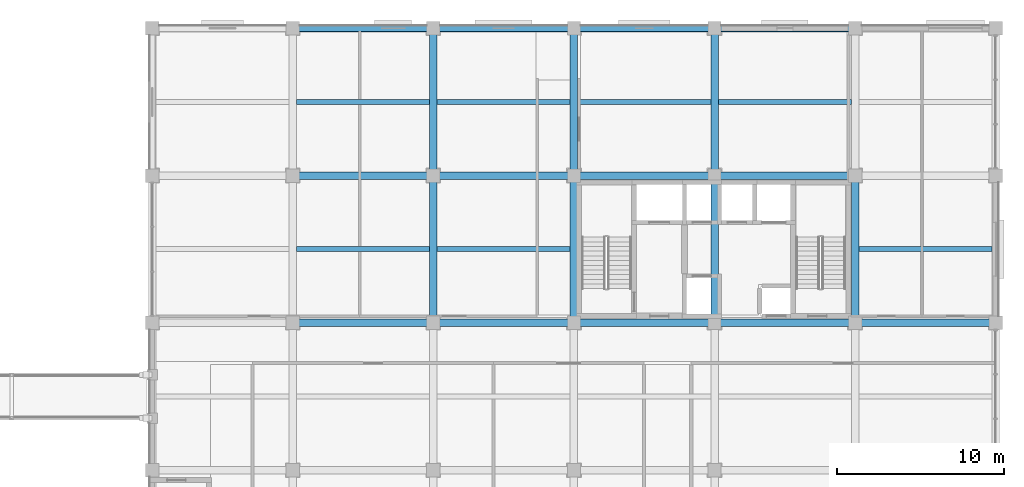
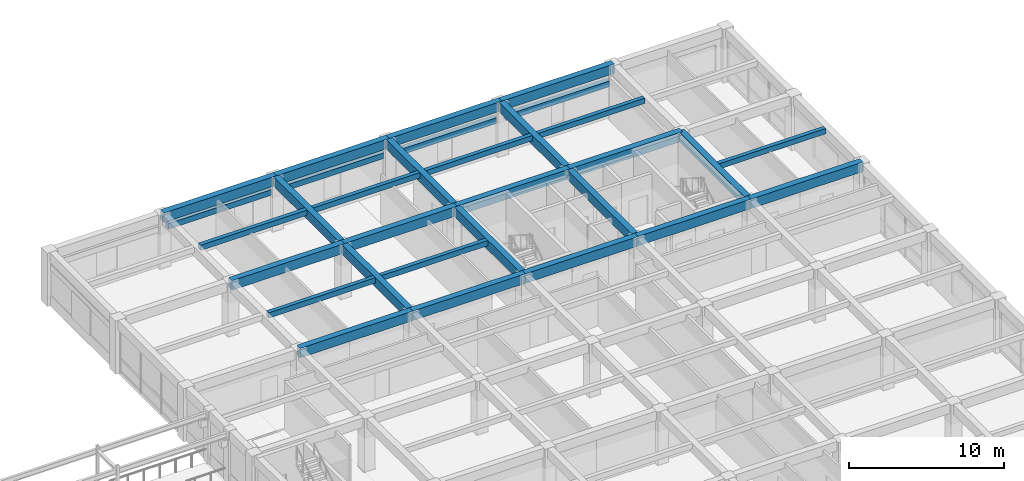
# One storey, part 27 of 57: 31 beams.
"""IFC4 building model written with IfcOpenShell, lengths in metres."""

from ifc_helpers import new_model, si_unit, direction, frame, origin, origin_2d, place, context, subcontext, project, spatial, rectangle, extrude, material, material_profile, profile_set, type_object, element, save


model = new_model("IFC4")

# Units and contexts
model_context = context("Model", 3, precision=1e-05, world=origin(), true_north=direction((0.0, 1.0)))
body_context = subcontext(model_context, "Body", "Model", "MODEL_VIEW")
ifc_project = project(units=[si_unit("LENGTHUNIT", "METRE"), si_unit("AREAUNIT", "SQUARE_METRE"), si_unit("VOLUMEUNIT", "CUBIC_METRE"), si_unit("PLANEANGLEUNIT", "RADIAN"), si_unit("MASSUNIT", "GRAM", prefix="KILO")], contexts=[model_context])

# Site, building, storey
site_placement = place(None, origin())
site = spatial("IfcSite", under=ifc_project, at=site_placement, CompositionType="ELEMENT")
building_placement = place(site_placement, origin())
building = spatial("IfcBuilding", under=site, at=building_placement, Name="Kemercrest Conservatory and Botanical Centre", CompositionType="ELEMENT")
storey_placement = place(building_placement, frame((0.0, 0.0, 4.800048828125)))
storey = spatial("IfcBuildingStorey", under=building, at=storey_placement, Name="L01", CompositionType="ELEMENT", Elevation=4.800048828125)

# Beams
ifc_material_1 = material(Name="Concrete C40/50", Category="concrete")
ifc_material_profile_1 = material_profile(ifc_material_1, rectangle(XDim=0.449951171875, YDim=0.75, at=origin_2d()), Name="RC 450x750")
ifc_profile_set_1 = profile_set([ifc_material_profile_1], Name="Concrete C40/50")
beam_type_1 = type_object("IfcBeamType", Name="BM-RC75", PredefinedType="BEAM", material=ifc_profile_set_1)
beam_1_placement = place(storey_placement, frame((134.0, 104.800048828125, 3.824951171875), z_axis=(1.0, 0.0, 0.0), x_axis=(0.0, 1.0, 0.0)))
element("IfcBeam", 1, at=beam_1_placement, inside=storey, type_object=beam_type_1, Name="V4-L02 beam BM-RC75 M/16-17", PredefinedType="BEAM", context=body_context, shape_type="SweptSolid", body=[
    extrude(rectangle(XDim=0.449951171875, YDim=0.75, at=origin_2d()), origin(), (0.0, 0.0, 1.0), 8.39990234375),
])
beam_2_placement = place(storey_placement, frame((142.39990234375, 104.800048828125, 3.824951171875), z_axis=(1.0, 0.0, 0.0), x_axis=(0.0, 1.0, 0.0)))
element("IfcBeam", 2, at=beam_2_placement, inside=storey, type_object=beam_type_1, Name="V4-L02 beam BM-RC75 M/17-18", PredefinedType="BEAM", context=body_context, shape_type="SweptSolid", body=[
    extrude(rectangle(XDim=0.449951171875, YDim=0.75, at=origin_2d()), origin(), (0.0, 0.0, 1.0), 8.400146484375),
])
beam_3_placement = place(storey_placement, frame((150.800048828125, 104.800048828125, 3.824951171875), z_axis=(1.0, 0.0, 0.0), x_axis=(0.0, 1.0, 0.0)))
element("IfcBeam", 3, at=beam_3_placement, inside=storey, type_object=beam_type_1, Name="V4-L02 beam BM-RC75 M/18-19", PredefinedType="BEAM", context=body_context, shape_type="SweptSolid", body=[
    extrude(rectangle(XDim=0.449951171875, YDim=0.75, at=origin_2d()), origin(), (0.0, 0.0, 1.0), 8.39990234375),
])
beam_4_placement = place(storey_placement, frame((159.199951171875, 104.800048828125, 3.824951171875), z_axis=(1.0, 0.0, 0.0), x_axis=(0.0, 1.0, 0.0)))
element("IfcBeam", 4, at=beam_4_placement, inside=storey, type_object=beam_type_1, Name="V4-L02 beam BM-RC75 M/19-20", PredefinedType="BEAM", context=body_context, shape_type="SweptSolid", body=[
    extrude(rectangle(XDim=0.449951171875, YDim=0.75, at=origin_2d()), origin(), (0.0, 0.0, 1.0), 8.400146484375),
])
for number, where, z_axis, x_axis, name in (
    (5, (167.60009765625, 104.800048828125, 3.824951171875), (1.0, 0.0, 0.0), (0.0, 1.0, 0.0), "V4-L02 beam BM-RC75 M/20-21"),
    (6, (134.0, 113.60009765625, 3.824951171875), (1.0, 0.0, 0.0), (0.0, 1.0, 0.0), "V4-L02 beam BM-RC75 N/16-17"),
):
    element("IfcBeam", number, at=place(storey_placement, frame(where, z_axis=z_axis, x_axis=x_axis)), inside=storey, type_object=beam_type_1, Name=name, PredefinedType="BEAM", context=body_context, shape_type="SweptSolid", body=[
        extrude(rectangle(XDim=0.449951171875, YDim=0.75, at=origin_2d()), origin(), (0.0, 0.0, 1.0), 8.39990234375),
    ])
beam_5_placement = place(storey_placement, frame((142.39990234375, 113.60009765625, 3.824951171875), z_axis=(1.0, 0.0, 0.0), x_axis=(0.0, 1.0, 0.0)))
element("IfcBeam", 7, at=beam_5_placement, inside=storey, type_object=beam_type_1, Name="V4-L02 beam BM-RC75 N/17-18", PredefinedType="BEAM", context=body_context, shape_type="SweptSolid", body=[
    extrude(rectangle(XDim=0.449951171875, YDim=0.75, at=origin_2d()), origin(), (0.0, 0.0, 1.0), 8.400146484375),
])
beam_6_placement = place(storey_placement, frame((150.800048828125, 113.60009765625, 3.824951171875), z_axis=(1.0, 0.0, 0.0), x_axis=(0.0, 1.0, 0.0)))
element("IfcBeam", 8, at=beam_6_placement, inside=storey, type_object=beam_type_1, Name="V4-L02 beam BM-RC75 N/18-19", PredefinedType="BEAM", context=body_context, shape_type="SweptSolid", body=[
    extrude(rectangle(XDim=0.449951171875, YDim=0.75, at=origin_2d()), origin(), (0.0, 0.0, 1.0), 8.39990234375),
])
beam_7_placement = place(storey_placement, frame((159.199951171875, 113.60009765625, 3.824951171875), z_axis=(1.0, 0.0, 0.0), x_axis=(0.0, 1.0, 0.0)))
element("IfcBeam", 9, at=beam_7_placement, inside=storey, type_object=beam_type_1, Name="V4-L02 beam BM-RC75 N/19-20", PredefinedType="BEAM", context=body_context, shape_type="SweptSolid", body=[
    extrude(rectangle(XDim=0.449951171875, YDim=0.75, at=origin_2d()), origin(), (0.0, 0.0, 1.0), 8.400146484375),
])
beam_8_placement = place(storey_placement, frame((142.39990234375, 104.800048828125, 3.824951171875), z_axis=(0.0, 1.0, 0.0), x_axis=(-1.0, 0.0, 0.0)))
element("IfcBeam", 10, at=beam_8_placement, inside=storey, type_object=beam_type_1, Name="V4-L02 beam BM-RC75 17/M-N", PredefinedType="BEAM", context=body_context, shape_type="SweptSolid", body=[
    extrude(rectangle(XDim=0.449951171875, YDim=0.75, at=origin_2d()), origin(), (0.0, 0.0, 1.0), 8.800048828125),
])
beam_9_placement = place(storey_placement, frame((142.39990234375, 113.60009765625, 3.824951171875), z_axis=(0.0, 1.0, 0.0), x_axis=(-1.0, 0.0, 0.0)))
element("IfcBeam", 11, at=beam_9_placement, inside=storey, type_object=beam_type_1, Name="V4-L02 beam BM-RC75 17/N-P", PredefinedType="BEAM", context=body_context, shape_type="SweptSolid", body=[
    extrude(rectangle(XDim=0.449951171875, YDim=0.75, at=origin_2d()), origin(), (0.0, 0.0, 1.0), 8.7998046875),
])
beam_10_placement = place(storey_placement, frame((150.800048828125, 104.800048828125, 3.824951171875), z_axis=(0.0, 1.0, 0.0), x_axis=(-1.0, 0.0, 0.0)))
element("IfcBeam", 12, at=beam_10_placement, inside=storey, type_object=beam_type_1, Name="V4-L02 beam BM-RC75 18/M-N", PredefinedType="BEAM", context=body_context, shape_type="SweptSolid", body=[
    extrude(rectangle(XDim=0.449951171875, YDim=0.75, at=origin_2d()), origin(), (0.0, 0.0, 1.0), 8.800048828125),
])
beam_11_placement = place(storey_placement, frame((150.800048828125, 113.60009765625, 3.824951171875), z_axis=(0.0, 1.0, 0.0), x_axis=(-1.0, 0.0, 0.0)))
element("IfcBeam", 13, at=beam_11_placement, inside=storey, type_object=beam_type_1, Name="V4-L02 beam BM-RC75 18/N-P", PredefinedType="BEAM", context=body_context, shape_type="SweptSolid", body=[
    extrude(rectangle(XDim=0.449951171875, YDim=0.75, at=origin_2d()), origin(), (0.0, 0.0, 1.0), 8.7998046875),
])
beam_12_placement = place(storey_placement, frame((159.199951171875, 104.800048828125, 3.824951171875), z_axis=(0.0, 1.0, 0.0), x_axis=(-1.0, 0.0, 0.0)))
element("IfcBeam", 14, at=beam_12_placement, inside=storey, type_object=beam_type_1, Name="V4-L02 beam BM-RC75 19/M-N", PredefinedType="BEAM", context=body_context, shape_type="SweptSolid", body=[
    extrude(rectangle(XDim=0.449951171875, YDim=0.75, at=origin_2d()), origin(), (0.0, 0.0, 1.0), 8.800048828125),
])
beam_13_placement = place(storey_placement, frame((159.199951171875, 113.60009765625, 3.824951171875), z_axis=(0.0, 1.0, 0.0), x_axis=(-1.0, 0.0, 0.0)))
element("IfcBeam", 15, at=beam_13_placement, inside=storey, type_object=beam_type_1, Name="V4-L02 beam BM-RC75 19/N-P", PredefinedType="BEAM", context=body_context, shape_type="SweptSolid", body=[
    extrude(rectangle(XDim=0.449951171875, YDim=0.75, at=origin_2d()), origin(), (0.0, 0.0, 1.0), 8.7998046875),
])
beam_14_placement = place(storey_placement, frame((167.60009765625, 104.800048828125, 3.824951171875), z_axis=(0.0, 1.0, 0.0), x_axis=(-1.0, 0.0, 0.0)))
element("IfcBeam", 16, at=beam_14_placement, inside=storey, type_object=beam_type_1, Name="V4-L02 beam BM-RC75 20/M-N", PredefinedType="BEAM", context=body_context, shape_type="SweptSolid", body=[
    extrude(rectangle(XDim=0.449951171875, YDim=0.75, at=origin_2d()), origin(), (0.0, 0.0, 1.0), 8.800048828125),
])
ifc_material_profile_2 = material_profile(ifc_material_1, rectangle(XDim=0.300048828125, YDim=0.419921875, at=origin_2d()), Name="RC 300x420")
ifc_profile_set_2 = profile_set([ifc_material_profile_2], Name="Concrete C40/50")
beam_type_2 = type_object("IfcBeamType", Name="JS-RC42", PredefinedType="JOIST", material=ifc_profile_set_2)
for number, where, z_axis, x_axis, name in (
    (17, (134.22509765625, 109.199951171875, 3.989990234375), (1.0, 0.0, 0.0), (0.0, 1.0, 0.0), "V4-L02 secondary joist JS-RC42"),
    (18, (142.625, 109.199951171875, 3.989990234375), (1.0, 0.0, 0.0), (0.0, 1.0, 0.0), "V4-L02 secondary joist JS-RC42"),
    (19, (167.824951171875, 109.199951171875, 3.989990234375), (1.0, 0.0, 0.0), (0.0, 1.0, 0.0), "V4-L02 secondary joist JS-RC42"),
    (20, (134.22509765625, 118.0, 3.989990234375), (1.0, 0.0, 0.0), (0.0, 1.0, 0.0), "V4-L02 secondary joist JS-RC42"),
    (21, (142.625, 118.0, 3.989990234375), (1.0, 0.0, 0.0), (0.0, 1.0, 0.0), "V4-L02 secondary joist JS-RC42"),
):
    element("IfcBeam", number, at=place(storey_placement, frame(where, z_axis=z_axis, x_axis=x_axis)), inside=storey, type_object=beam_type_2, Name=name, PredefinedType="JOIST", context=body_context, shape_type="SweptSolid", body=[
        extrude(rectangle(XDim=0.300048828125, YDim=0.419921875, at=origin_2d()), origin(), (0.0, 0.0, 1.0), 7.949951171875),
    ])
beam_15_placement = place(storey_placement, frame((151.02490234375, 118.0, 3.989990234375), z_axis=(1.0, 0.0, 0.0), x_axis=(0.0, 1.0, 0.0)))
element("IfcBeam", 22, at=beam_15_placement, inside=storey, type_object=beam_type_2, Name="V4-L02 secondary joist JS-RC42", PredefinedType="JOIST", context=body_context, shape_type="SweptSolid", body=[
    extrude(rectangle(XDim=0.300048828125, YDim=0.419921875, at=origin_2d()), origin(), (0.0, 0.0, 1.0), 7.9501953125),
])
beam_16_placement = place(storey_placement, frame((159.425048828125, 118.0, 3.989990234375), z_axis=(1.0, 0.0, 0.0), x_axis=(0.0, 1.0, 0.0)))
element("IfcBeam", 23, at=beam_16_placement, inside=storey, type_object=beam_type_2, Name="V4-L02 secondary joist JS-RC42", PredefinedType="JOIST", context=body_context, shape_type="SweptSolid", body=[
    extrude(rectangle(XDim=0.300048828125, YDim=0.419921875, at=origin_2d()), origin(), (0.0, 0.0, 1.0), 7.949951171875),
])
ifc_material_2 = material(Name="Precast concrete C40/50", Category="concrete")
ifc_material_profile_3 = material_profile(ifc_material_2, rectangle(XDim=0.35009765625, YDim=0.449951171875, at=origin_2d()), Name="RC 350x450")
ifc_profile_set_3 = profile_set([ifc_material_profile_3], Name="Precast concrete C40/50")
beam_type_3 = type_object("IfcBeamType", Name="LN-RC46", PredefinedType="LINTEL", material=ifc_profile_set_3)
beam_17_placement = place(storey_placement, frame((167.25, 122.39990234375, 2.724853515625), z_axis=(-1.0, 0.0, 0.0), x_axis=(0.0, -1.0, 0.0)))
element("IfcBeam", 24, at=beam_17_placement, inside=storey, type_object=beam_type_3, Name="Precast arched window lintel (WIN:L01:EXT-182)", PredefinedType="LINTEL", context=body_context, shape_type="SweptSolid", body=[
    extrude(rectangle(XDim=0.35009765625, YDim=0.449951171875, at=origin_2d()), origin(), (0.0, 0.0, 1.0), 7.699951171875),
])
beam_18_placement = place(storey_placement, frame((158.85009765625, 122.39990234375, 2.77490234375), z_axis=(-1.0, 0.0, 0.0), x_axis=(0.0, -1.0, 0.0)))
element("IfcBeam", 25, at=beam_18_placement, inside=storey, type_object=beam_type_3, Name="Precast arched window lintel (WIN:L01:EXT-183)", PredefinedType="LINTEL", context=body_context, shape_type="SweptSolid", body=[
    extrude(rectangle(XDim=0.35009765625, YDim=0.449951171875, at=origin_2d()), origin(), (0.0, 0.0, 1.0), 7.7001953125),
])
for number, where, z_axis, x_axis, name in (
    (26, (150.449951171875, 122.39990234375, 2.945068359375), (-1.0, 0.0, 0.0), (0.0, -1.0, 0.0), "Precast arched window lintel (WIN:L01:EXT-184)"),
    (27, (142.050048828125, 122.39990234375, 2.98486328125), (-1.0, 0.0, 0.0), (0.0, -1.0, 0.0), "Precast arched window lintel (WIN:L01:EXT-185)"),
):
    element("IfcBeam", number, at=place(storey_placement, frame(where, z_axis=z_axis, x_axis=x_axis)), inside=storey, type_object=beam_type_3, Name=name, PredefinedType="LINTEL", context=body_context, shape_type="SweptSolid", body=[
        extrude(rectangle(XDim=0.35009765625, YDim=0.449951171875, at=origin_2d()), origin(), (0.0, 0.0, 1.0), 7.699951171875),
    ])
ifc_material_profile_4 = material_profile(ifc_material_1, rectangle(XDim=0.449951171875, YDim=0.75, at=origin_2d()), Name="RC 450x750")
ifc_profile_set_4 = profile_set([ifc_material_profile_4], Name="Concrete C40/50")
beam_type_4 = type_object("IfcBeamType", Name="SP-RC75", PredefinedType="SPANDREL", material=ifc_profile_set_4)
beam_19_placement = place(storey_placement, frame((134.0, 122.39990234375, 3.824951171875), z_axis=(1.0, 0.0, 0.0), x_axis=(0.0, 1.0, 0.0)))
element("IfcBeam", 28, at=beam_19_placement, inside=storey, type_object=beam_type_4, Name="V4-L02 beam SP-RC75 P/16-17", PredefinedType="SPANDREL", context=body_context, shape_type="SweptSolid", body=[
    extrude(rectangle(XDim=0.449951171875, YDim=0.75, at=origin_2d()), origin(), (0.0, 0.0, 1.0), 8.39990234375),
])
beam_20_placement = place(storey_placement, frame((142.39990234375, 122.39990234375, 3.824951171875), z_axis=(1.0, 0.0, 0.0), x_axis=(0.0, 1.0, 0.0)))
element("IfcBeam", 29, at=beam_20_placement, inside=storey, type_object=beam_type_4, Name="V4-L02 beam SP-RC75 P/17-18", PredefinedType="SPANDREL", context=body_context, shape_type="SweptSolid", body=[
    extrude(rectangle(XDim=0.449951171875, YDim=0.75, at=origin_2d()), origin(), (0.0, 0.0, 1.0), 8.400146484375),
])
beam_21_placement = place(storey_placement, frame((150.800048828125, 122.39990234375, 3.824951171875), z_axis=(1.0, 0.0, 0.0), x_axis=(0.0, 1.0, 0.0)))
element("IfcBeam", 30, at=beam_21_placement, inside=storey, type_object=beam_type_4, Name="V4-L02 beam SP-RC75 P/18-19", PredefinedType="SPANDREL", context=body_context, shape_type="SweptSolid", body=[
    extrude(rectangle(XDim=0.449951171875, YDim=0.75, at=origin_2d()), origin(), (0.0, 0.0, 1.0), 8.39990234375),
])
beam_22_placement = place(storey_placement, frame((159.199951171875, 122.39990234375, 3.824951171875), z_axis=(1.0, 0.0, 0.0), x_axis=(0.0, 1.0, 0.0)))
element("IfcBeam", 31, at=beam_22_placement, inside=storey, type_object=beam_type_4, Name="V4-L02 beam SP-RC75 P/19-20", PredefinedType="SPANDREL", context=body_context, shape_type="SweptSolid", body=[
    extrude(rectangle(XDim=0.449951171875, YDim=0.75, at=origin_2d()), origin(), (0.0, 0.0, 1.0), 8.400146484375),
])

save(model, "model.ifc")
